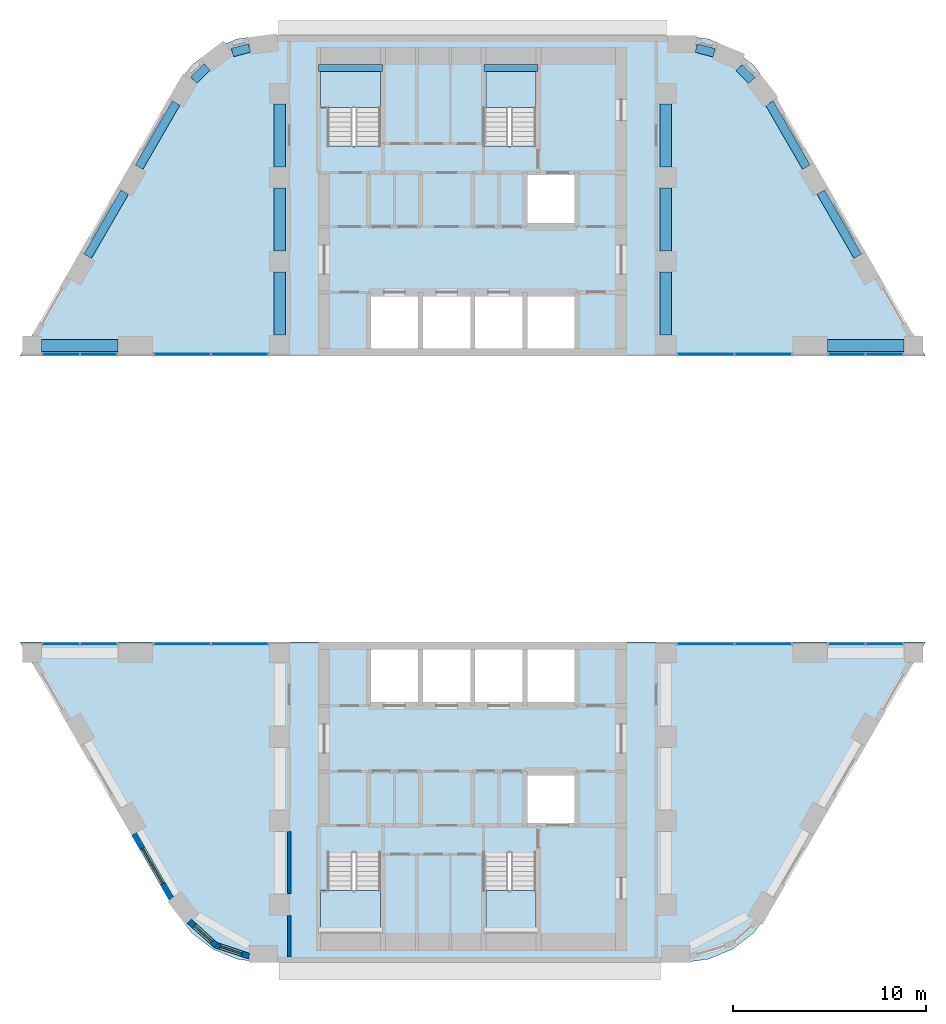
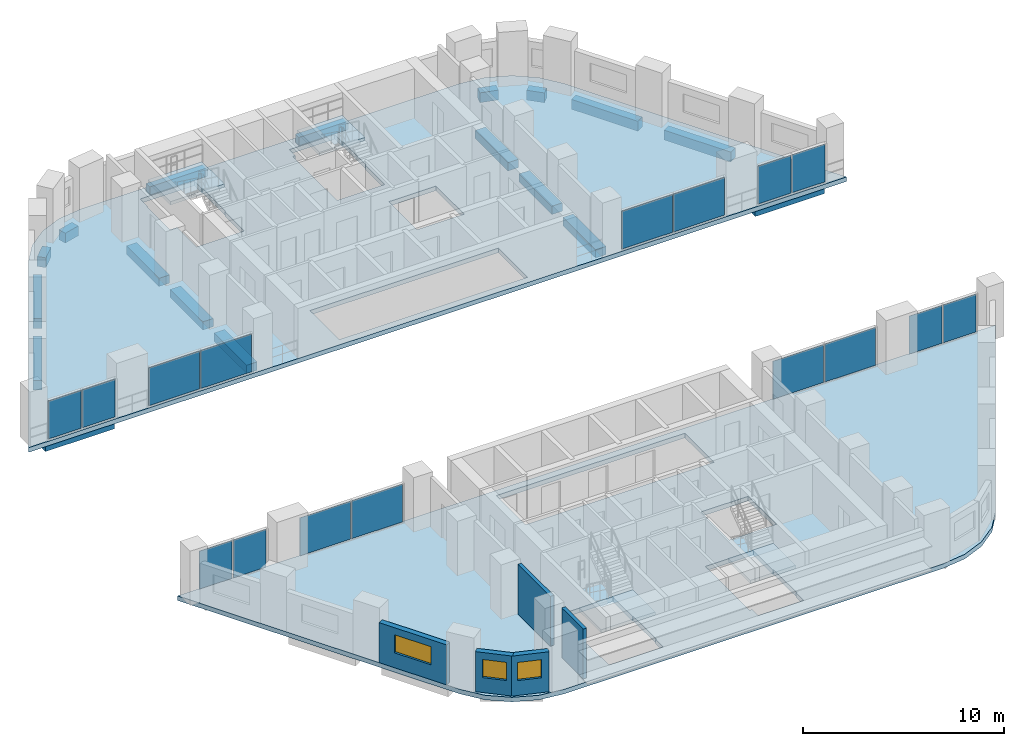
# One storey, part 4 of 11: 18 beams, 16 plates, 6 slabs, 5 walls, 3 windows, 3 openings, 12 elements without a shape of their own.
"""IFC4 building model written with IfcOpenShell, lengths in metres."""

from ifc_helpers import new_model, si_unit, direction, frame, frame_2d, origin, origin_2d, place, context, subcontext, project, spatial, polyline, rectangle, outline, extrude, material, layer, layer_set, material_profile, profile_set, type_object, element, fill, aggregate, save


model = new_model("IFC4")

# Units and contexts
model_context = context("Model", 3, precision=1e-05, world=origin(), true_north=direction((0.0, 1.0)))
body_context = subcontext(model_context, "Body", "Model", "MODEL_VIEW")
ifc_project = project(units=[si_unit("LENGTHUNIT", "METRE"), si_unit("AREAUNIT", "SQUARE_METRE"), si_unit("VOLUMEUNIT", "CUBIC_METRE"), si_unit("PLANEANGLEUNIT", "RADIAN"), si_unit("MASSUNIT", "GRAM", prefix="KILO")], contexts=[model_context])

# Site, building, storey
site_placement = place(None, origin())
site = spatial("IfcSite", under=ifc_project, at=site_placement, CompositionType="ELEMENT")
building_placement = place(site_placement, origin())
building = spatial("IfcBuilding", under=site, at=building_placement, Name="Nakaniwa Court", CompositionType="ELEMENT")
storey_placement = place(building_placement, frame((0.0, 0.0, 31.5)))
storey = spatial("IfcBuildingStorey", under=building, at=storey_placement, Name="L07", CompositionType="ELEMENT", Elevation=31.5)

# Beams
ifc_material_1 = material(Name="Concrete C100/115", Category="concrete")
ifc_material_profile_1 = material_profile(ifc_material_1, rectangle(XDim=0.449951171875, YDim=0.60009765625, at=origin_2d()), Name="Concrete C100/115 RC 450x600 spandrel beam")
ifc_profile_set_1 = profile_set([ifc_material_profile_1], Name="Concrete C100/115")
beam_type_1 = type_object("IfcBeamType", Name="Concrete C100/115 RC 450x600 spandrel beam", PredefinedType="BEAM", material=ifc_profile_set_1)
beam_1_placement = place(storey_placement, frame((68.444580078125, 103.35546875, -0.574951171875), z_axis=(-0.966287893493, -0.25746399144, 0.0), x_axis=(0.25746399144, -0.966287893493, 0.0)))
element("IfcBeam", 1, at=beam_1_placement, inside=storey, type_object=beam_type_1, Name="SPANDREL BEAM", PredefinedType="BEAM", context=body_context, shape_type="SweptSolid", body=[
    extrude(rectangle(XDim=0.449951171875, YDim=0.60009765625, at=origin_2d()), origin(), (0.0, 0.0, 1.0), 0.91796875),
])
beam_2_placement = place(storey_placement, frame((66.238525390625, 102.374267578125, -0.574951171875), z_axis=(-0.706081618928, -0.708130459317, 0.0), x_axis=(0.708130459317, -0.706081618928, 0.0)))
element("IfcBeam", 2, at=beam_2_placement, inside=storey, type_object=beam_type_1, Name="SPANDREL BEAM", PredefinedType="BEAM", context=body_context, shape_type="SweptSolid", body=[
    extrude(rectangle(XDim=0.449951171875, YDim=0.60009765625, at=origin_2d()), origin(), (0.0, 0.0, 1.0), 0.953369140625),
])
beam_3_placement = place(storey_placement, frame((64.642578125, 100.5, -0.574951171875), z_axis=(-0.500009674092, -0.866019818373, 0.0), x_axis=(0.866019818373, -0.500009674092, 0.0)))
element("IfcBeam", 3, at=beam_3_placement, inside=storey, type_object=beam_type_1, Name="SPANDREL BEAM", PredefinedType="BEAM", context=body_context, shape_type="SweptSolid", body=[
    extrude(rectangle(XDim=0.449951171875, YDim=0.60009765625, at=origin_2d()), origin(), (0.0, 0.0, 1.0), 3.826171875),
])
for number, where, z_axis, x_axis, name in (
    (4, (61.9794921875, 95.8876953125, -0.574951171875), (-0.499961815444, -0.866047448526, 0.0), (0.866047448526, -0.499961815444, 0.0), "SPANDREL BEAM"),
    (5, (99.933349609375, 92.57421875, -0.574951171875), (-0.499961815444, 0.866047448526, 0.0), (-0.866047448526, -0.499961815444, 0.0), "SPANDREL BEAM"),
):
    element("IfcBeam", number, at=place(storey_placement, frame(where, z_axis=z_axis, x_axis=x_axis)), inside=storey, type_object=beam_type_1, Name=name, PredefinedType="BEAM", context=body_context, shape_type="SweptSolid", body=[
        extrude(rectangle(XDim=0.449951171875, YDim=0.60009765625, at=origin_2d()), origin(), (0.0, 0.0, 1.0), 3.825927734375),
    ])
beam_4_placement = place(storey_placement, frame((97.2705078125, 97.1865234375, -0.574951171875), z_axis=(-0.500023067617, 0.86601208528, 0.0), x_axis=(-0.86601208528, -0.500023067617, 0.0)))
element("IfcBeam", 6, at=beam_4_placement, inside=storey, type_object=beam_type_1, Name="SPANDREL BEAM", PredefinedType="BEAM", context=body_context, shape_type="SweptSolid", body=[
    extrude(rectangle(XDim=0.449951171875, YDim=0.60009765625, at=origin_2d()), origin(), (0.0, 0.0, 1.0), 3.819580078125),
])
beam_5_placement = place(storey_placement, frame((94.448486328125, 101.68505859375, -0.574951171875), z_axis=(-0.705908410536, 0.708303124329, 0.0), x_axis=(-0.708303124329, -0.705908410536, 0.0)))
element("IfcBeam", 7, at=beam_5_placement, inside=storey, type_object=beam_type_1, Name="SPANDREL BEAM", PredefinedType="BEAM", context=body_context, shape_type="SweptSolid", body=[
    extrude(rectangle(XDim=0.449951171875, YDim=0.60009765625, at=origin_2d()), origin(), (0.0, 0.0, 1.0), 0.91748046875),
])
beam_6_placement = place(storey_placement, frame((92.49609375, 103.10498046875, -0.574951171875), z_axis=(-0.966324126494, 0.257327966912, 0.0), x_axis=(-0.257327966912, -0.966324126494, 0.0)))
element("IfcBeam", 8, at=beam_6_placement, inside=storey, type_object=beam_type_1, Name="SPANDREL BEAM", PredefinedType="BEAM", context=body_context, shape_type="SweptSolid", body=[
    extrude(rectangle(XDim=0.449951171875, YDim=0.60009765625, at=origin_2d()), origin(), (0.0, 0.0, 1.0), 0.95361328125),
])
ifc_material_profile_2 = material_profile(ifc_material_1, rectangle(XDim=0.60009765625, YDim=0.5, at=origin_2d()), Name="Concrete C100/115 RC 600x500 ring beam")
ifc_profile_set_2 = profile_set([ifc_material_profile_2], Name="Concrete C100/115")
beam_type_2 = type_object("IfcBeamType", Name="Concrete C100/115 RC 600x500 ring beam", PredefinedType="BEAM", material=ifc_profile_set_2)
for number, where, z_axis, x_axis, name in (
    (9, (90.0, 88.5, -0.52490234375), (0.0, 1.0, 0.0), (-1.0, 0.0, 0.0), "RING BEAM"),
    (10, (90.0, 92.85009765625, -0.52490234375), (0.0, 1.0, 0.0), (-1.0, 0.0, 0.0), "RING BEAM"),
    (11, (90.0, 97.199951171875, -0.52490234375), (0.0, 1.0, 0.0), (-1.0, 0.0, 0.0), "RING BEAM"),
    (12, (70.0, 100.449951171875, -0.52490234375), (0.0, -1.0, 0.0), (1.0, 0.0, 0.0), "RING BEAM"),
    (13, (70.0, 96.10009765625, -0.52490234375), (0.0, -1.0, 0.0), (1.0, 0.0, 0.0), "RING BEAM"),
    (14, (70.0, 91.75, -0.52490234375), (0.0, -1.0, 0.0), (1.0, 0.0, 0.0), "RING BEAM"),
):
    element("IfcBeam", number, at=place(storey_placement, frame(where, z_axis=z_axis, x_axis=x_axis)), inside=storey, type_object=beam_type_2, Name=name, PredefinedType="BEAM", context=body_context, shape_type="SweptSolid", body=[
        extrude(rectangle(XDim=0.60009765625, YDim=0.5, at=origin_2d()), origin(), (0.0, 0.0, 1.0), 3.25),
    ])
for number, where, z_axis, x_axis, name in (
    (15, (57.677001953125, 87.949951171875, -0.52490234375), (1.0, 0.0, 0.0), (0.0, 1.0, 0.0), "RING BEAM"),
    (16, (98.35791015625, 87.949951171875, -0.52490234375), (1.0, 0.0, 0.0), (0.0, 1.0, 0.0), "RING BEAM"),
):
    element("IfcBeam", number, at=place(storey_placement, frame(where, z_axis=z_axis, x_axis=x_axis)), inside=storey, type_object=beam_type_2, Name=name, PredefinedType="BEAM", context=body_context, shape_type="SweptSolid", body=[
        extrude(rectangle(XDim=0.60009765625, YDim=0.5, at=origin_2d()), origin(), (0.0, 0.0, 1.0), 3.965087890625),
    ])
ifc_material_2 = material(Name="Concrete C80/100", Category="concrete")
ifc_material_profile_3 = material_profile(ifc_material_2, rectangle(XDim=0.35009765625, YDim=0.5, at=origin_2d()), Name="Concrete C80/100 RC 350x500 landing ledge beam")
ifc_profile_set_3 = profile_set([ifc_material_profile_3], Name="Concrete C80/100")
beam_type_3 = type_object("IfcBeamType", Name="Concrete C80/100 RC 350x500 landing ledge beam", PredefinedType="BEAM", material=ifc_profile_set_3)
beam_7_placement = place(storey_placement, frame((72.02490234375, 102.324951171875, 1.199951171875), z_axis=(1.0, 0.0, 0.0), x_axis=(0.0, 1.0, 0.0)))
element("IfcBeam", 17, at=beam_7_placement, inside=storey, type_object=beam_type_3, Name="LANDING LEDGE BEAM", PredefinedType="BEAM", context=body_context, shape_type="SweptSolid", body=[
    extrude(rectangle(XDim=0.35009765625, YDim=0.5, at=origin_2d()), origin(), (0.0, 0.0, 1.0), 3.300048828125),
])
beam_8_placement = place(storey_placement, frame((80.574951171875, 102.324951171875, 1.199951171875), z_axis=(1.0, 0.0, 0.0), x_axis=(0.0, 1.0, 0.0)))
element("IfcBeam", 18, at=beam_8_placement, inside=storey, type_object=beam_type_3, Name="LANDING LEDGE BEAM", PredefinedType="BEAM", context=body_context, shape_type="SweptSolid", body=[
    extrude(rectangle(XDim=0.35009765625, YDim=0.5, at=origin_2d()), origin(), (0.0, 0.0, 1.0), 2.800048828125),
])

# Slabs
ifc_layer_1 = layer(ifc_material_1, 0.27490234375)
ifc_layer_set_1 = layer_set([ifc_layer_1], Name="Concrete C100/115")
slab_type_1 = type_object("IfcSlabType", Name="Concrete C100/115 post tensioned floor slab 275", PredefinedType="FLOOR", material=ifc_layer_set_1)
slab_1_placement = place(storey_placement, frame((0.0, 0.0, -0.27490234375)))
element("IfcSlab", 19, at=slab_1_placement, inside=storey, type_object=slab_type_1, Name="FLOOR SLAB", PredefinedType="FLOOR", context=body_context, shape_type="SweptSolid", body=[
    extrude(outline(polyline([(95.357421875, 58.60009765625), (103.4404296875, 72.60009765625), (56.5595703125, 72.60009765625), (64.642578125, 58.60009765625), (65.468994140625, 57.52294921875), (66.5458984375, 56.69677734375), (67.800048828125, 56.17724609375), (69.145751953125, 56.0), (90.854248046875, 56.0), (92.199951171875, 56.17724609375), (93.4541015625, 56.69677734375), (94.531005859375, 57.52294921875), (95.357421875, 58.60009765625)]), holes=[polyline([(75.22509765625, 57.324951171875), (75.22509765625, 57.4599609375), (75.264892578125, 57.4599609375), (75.264892578125, 59.764892578125), (75.22509765625, 59.764892578125), (75.22509765625, 61.7099609375), (72.47509765625, 61.7099609375), (72.47509765625, 59.764892578125), (72.0849609375, 59.764892578125), (72.0849609375, 57.4599609375), (72.125, 57.4599609375), (72.125, 56.72509765625), (75.22509765625, 56.72509765625), (75.22509765625, 57.324951171875)]), polyline([(74.60009765625, 69.300048828125), (77.300048828125, 69.300048828125), (80.0, 69.300048828125), (82.699951171875, 69.300048828125), (85.39990234375, 69.300048828125), (85.39990234375, 72.199951171875), (82.699951171875, 72.199951171875), (80.0, 72.199951171875), (77.300048828125, 72.199951171875), (74.60009765625, 72.199951171875), (74.60009765625, 69.300048828125)]), polyline([(83.27490234375, 57.324951171875), (83.27490234375, 57.4599609375), (83.31494140625, 57.4599609375), (83.31494140625, 59.764892578125), (83.27490234375, 59.764892578125), (83.27490234375, 61.7099609375), (80.52490234375, 61.7099609375), (80.52490234375, 57.324951171875), (80.675048828125, 57.324951171875), (80.675048828125, 56.72509765625), (83.27490234375, 56.72509765625), (83.27490234375, 57.324951171875)]), polyline([(82.699951171875, 63.10009765625), (85.39990234375, 63.10009765625), (85.39990234375, 65.89990234375), (82.699951171875, 65.89990234375), (82.699951171875, 63.10009765625)])]), origin(), (0.0, 0.0, 1.0), 0.27490234375),
])
slab_2_placement = place(storey_placement, frame((0.0, 0.0, -0.27490234375)))
element("IfcSlab", 20, at=slab_2_placement, inside=storey, type_object=slab_type_1, Name="FLOOR SLAB", PredefinedType="FLOOR", context=body_context, shape_type="SweptSolid", body=[
    extrude(outline(polyline([(64.642578125, 101.39990234375), (56.5595703125, 87.39990234375), (103.4404296875, 87.39990234375), (95.357421875, 101.39990234375), (94.531005859375, 102.47705078125), (93.4541015625, 103.30322265625), (92.199951171875, 103.82275390625), (90.854248046875, 104.0), (69.145751953125, 104.0), (67.800048828125, 103.82275390625), (66.5458984375, 103.30322265625), (65.468994140625, 102.47705078125), (64.642578125, 101.39990234375)]), holes=[polyline([(74.60009765625, 87.800048828125), (77.300048828125, 87.800048828125), (80.0, 87.800048828125), (82.699951171875, 87.800048828125), (85.39990234375, 87.800048828125), (85.39990234375, 90.699951171875), (82.699951171875, 90.699951171875), (80.0, 90.699951171875), (77.300048828125, 90.699951171875), (74.60009765625, 90.699951171875), (74.60009765625, 87.800048828125)]), polyline([(75.22509765625, 98.2900390625), (75.22509765625, 100.235107421875), (75.264892578125, 100.235107421875), (75.264892578125, 102.5400390625), (75.22509765625, 102.5400390625), (75.22509765625, 102.675048828125), (75.22509765625, 103.27490234375), (72.125, 103.27490234375), (72.125, 102.5400390625), (72.0849609375, 102.5400390625), (72.0849609375, 100.235107421875), (72.47509765625, 100.235107421875), (72.47509765625, 98.2900390625), (75.22509765625, 98.2900390625)]), polyline([(82.699951171875, 94.10009765625), (85.39990234375, 94.10009765625), (85.39990234375, 96.89990234375), (82.699951171875, 96.89990234375), (82.699951171875, 94.10009765625)]), polyline([(80.52490234375, 98.2900390625), (83.27490234375, 98.2900390625), (83.27490234375, 100.235107421875), (83.31494140625, 100.235107421875), (83.31494140625, 102.5400390625), (83.27490234375, 102.5400390625), (83.27490234375, 102.675048828125), (83.27490234375, 103.27490234375), (80.675048828125, 103.27490234375), (80.675048828125, 102.675048828125), (80.52490234375, 102.675048828125), (80.52490234375, 98.2900390625)])]), origin(), (0.0, 0.0, 1.0), 0.27490234375),
])

# Curtain wall, plates
ifc_material_3 = material(Name="Black anodised aluminium frame with dark low-E laminated double glazing", Category="aluminium")
ifc_layer_2 = layer(ifc_material_3, 0.199951171875)
ifc_layer_set_2 = layer_set([ifc_layer_2], Name="Black anodised aluminium frame with dark low-E laminated double glazing")
curtain_wall_type = type_object("IfcCurtainWallType", Name="Portal side curtain wall", PredefinedType="NOTDEFINED", material=ifc_layer_set_2)
curtain_wall_1_placement = place(storey_placement, origin())
curtain_wall_1 = element("IfcCurtainWall", 21, at=curtain_wall_1_placement, inside=storey, type_object=curtain_wall_type, Name="L07 curtain wall CW5 02", PredefinedType="NOTDEFINED")
ifc_material_4 = material(Name="Dark toughened glass", Category="glass")
ifc_layer_3 = layer(ifc_material_4, 0.009, Name="Outer pane")
ifc_material_5 = material(Name="Argon filled cavity")
ifc_layer_4 = layer(ifc_material_5, 0.016, Name="Cavity")
ifc_material_6 = material(Name="Dark laminated safety glass", Category="glass")
ifc_layer_5 = layer(ifc_material_6, 0.009, Name="Inner pane")
ifc_layer_set_3 = layer_set([ifc_layer_3, ifc_layer_4, ifc_layer_5], Name="Dark low-E laminated double glazing")
plate_type = type_object("IfcPlateType", Name="Portal side curtain wall glass panel", PredefinedType="CURTAIN_PANEL", material=ifc_layer_set_3)
plate_1_placement = place(storey_placement, frame((101.31494140625, 72.5, 0.06494140625), z_axis=(0.0, 0.0, 1.0), x_axis=(-1.0, 0.0, 0.0)))
plate_1 = element("IfcPlate", 22, at=plate_1_placement, type_object=plate_type, Name="CW5 panel 1.1", PredefinedType="CURTAIN_PANEL", context=body_context, shape_type="SweptSolid", body=[
    extrude(rectangle(XDim=1.8740234375, YDim=0.033935546875, at=origin_2d()), origin(), (0.0, 0.0, 1.0), 2.294921875),
])
plate_2_placement = place(storey_placement, frame((99.365966796875, 72.5, 0.06494140625), z_axis=(0.0, 0.0, 1.0), x_axis=(-1.0, 0.0, 0.0)))
plate_2 = element("IfcPlate", 23, at=plate_2_placement, type_object=plate_type, Name="CW5 panel 2.1", PredefinedType="CURTAIN_PANEL", context=body_context, shape_type="SweptSolid", body=[
    extrude(rectangle(XDim=1.8740234375, YDim=0.033935546875, at=origin_2d()), origin(), (0.0, 0.0, 1.0), 2.294921875),
])
aggregate(curtain_wall_1, [plate_1, plate_2])

curtain_wall_2_placement = place(storey_placement, origin())
curtain_wall_2 = element("IfcCurtainWall", 24, at=curtain_wall_2_placement, inside=storey, type_object=curtain_wall_type, Name="L07 curtain wall CW5 03", PredefinedType="NOTDEFINED")
plate_3_placement = place(storey_placement, frame((95.039306640625, 72.5, 0.06494140625), z_axis=(0.0, 0.0, 1.0), x_axis=(-1.0, 0.0, 0.0)))
plate_3 = element("IfcPlate", 25, at=plate_3_placement, type_object=plate_type, Name="CW5 panel 1.1", PredefinedType="CURTAIN_PANEL", context=body_context, shape_type="SweptSolid", body=[
    extrude(rectangle(XDim=2.8955078125, YDim=0.033935546875, at=origin_2d()), origin(), (0.0, 0.0, 1.0), 2.294921875),
])
plate_4_placement = place(storey_placement, frame((92.06884765625, 72.5, 0.06494140625), z_axis=(0.0, 0.0, 1.0), x_axis=(-1.0, 0.0, 0.0)))
plate_4 = element("IfcPlate", 26, at=plate_4_placement, type_object=plate_type, Name="CW5 panel 2.1", PredefinedType="CURTAIN_PANEL", context=body_context, shape_type="SweptSolid", body=[
    extrude(rectangle(XDim=2.8955078125, YDim=0.033935546875, at=origin_2d()), origin(), (0.0, 0.0, 1.0), 2.294921875),
])
aggregate(curtain_wall_2, [plate_3, plate_4])

curtain_wall_3_placement = place(storey_placement, origin())
curtain_wall_3 = element("IfcCurtainWall", 27, at=curtain_wall_3_placement, inside=storey, type_object=curtain_wall_type, Name="L07 curtain wall CW5 04", PredefinedType="NOTDEFINED")
plate_5_placement = place(storey_placement, frame((67.93115234375, 72.5, 0.06494140625), z_axis=(0.0, 0.0, 1.0), x_axis=(-1.0, 0.0, 0.0)))
plate_5 = element("IfcPlate", 28, at=plate_5_placement, type_object=plate_type, Name="CW5 panel 1.1", PredefinedType="CURTAIN_PANEL", context=body_context, shape_type="SweptSolid", body=[
    extrude(rectangle(XDim=2.8955078125, YDim=0.033935546875, at=origin_2d()), origin(), (0.0, 0.0, 1.0), 2.294921875),
])
plate_6_placement = place(storey_placement, frame((64.960693359375, 72.5, 0.06494140625), z_axis=(0.0, 0.0, 1.0), x_axis=(-1.0, 0.0, 0.0)))
plate_6 = element("IfcPlate", 29, at=plate_6_placement, type_object=plate_type, Name="CW5 panel 2.1", PredefinedType="CURTAIN_PANEL", context=body_context, shape_type="SweptSolid", body=[
    extrude(rectangle(XDim=2.8955078125, YDim=0.033935546875, at=origin_2d()), origin(), (0.0, 0.0, 1.0), 2.294921875),
])
aggregate(curtain_wall_3, [plate_5, plate_6])

curtain_wall_4_placement = place(storey_placement, origin())
curtain_wall_4 = element("IfcCurtainWall", 30, at=curtain_wall_4_placement, inside=storey, type_object=curtain_wall_type, Name="L07 curtain wall CW5 05", PredefinedType="NOTDEFINED")
plate_7_placement = place(storey_placement, frame((60.634033203125, 72.5, 0.06494140625), z_axis=(0.0, 0.0, 1.0), x_axis=(-1.0, 0.0, 0.0)))
plate_7 = element("IfcPlate", 31, at=plate_7_placement, type_object=plate_type, Name="CW5 panel 1.1", PredefinedType="CURTAIN_PANEL", context=body_context, shape_type="SweptSolid", body=[
    extrude(rectangle(XDim=1.8740234375, YDim=0.033935546875, at=origin_2d()), origin(), (0.0, 0.0, 1.0), 2.294921875),
])
plate_8_placement = place(storey_placement, frame((58.68505859375, 72.5, 0.06494140625), z_axis=(0.0, 0.0, 1.0), x_axis=(-1.0, 0.0, 0.0)))
plate_8 = element("IfcPlate", 32, at=plate_8_placement, type_object=plate_type, Name="CW5 panel 2.1", PredefinedType="CURTAIN_PANEL", context=body_context, shape_type="SweptSolid", body=[
    extrude(rectangle(XDim=1.8740234375, YDim=0.033935546875, at=origin_2d()), origin(), (0.0, 0.0, 1.0), 2.294921875),
])
aggregate(curtain_wall_4, [plate_7, plate_8])

curtain_wall_5_placement = place(storey_placement, origin())
curtain_wall_5 = element("IfcCurtainWall", 33, at=curtain_wall_5_placement, inside=storey, type_object=curtain_wall_type, Name="L07 curtain wall CW5 17", PredefinedType="NOTDEFINED")
plate_9_placement = place(storey_placement, frame((58.68505859375, 87.5, 0.06494140625), z_axis=(0.0, 0.0, 1.0), x_axis=(1.0, 0.0, 0.0)))
plate_9 = element("IfcPlate", 34, at=plate_9_placement, type_object=plate_type, Name="CW5 panel 1.1", PredefinedType="CURTAIN_PANEL", context=body_context, shape_type="SweptSolid", body=[
    extrude(rectangle(XDim=1.8740234375, YDim=0.033935546875, at=origin_2d()), origin(), (0.0, 0.0, 1.0), 2.294921875),
])
plate_10_placement = place(storey_placement, frame((60.634033203125, 87.5, 0.06494140625), z_axis=(0.0, 0.0, 1.0), x_axis=(1.0, 0.0, 0.0)))
plate_10 = element("IfcPlate", 35, at=plate_10_placement, type_object=plate_type, Name="CW5 panel 2.1", PredefinedType="CURTAIN_PANEL", context=body_context, shape_type="SweptSolid", body=[
    extrude(rectangle(XDim=1.8740234375, YDim=0.033935546875, at=origin_2d()), origin(), (0.0, 0.0, 1.0), 2.294921875),
])
aggregate(curtain_wall_5, [plate_9, plate_10])

curtain_wall_6_placement = place(storey_placement, origin())
curtain_wall_6 = element("IfcCurtainWall", 36, at=curtain_wall_6_placement, inside=storey, type_object=curtain_wall_type, Name="L07 curtain wall CW5 18", PredefinedType="NOTDEFINED")
plate_11_placement = place(storey_placement, frame((64.960693359375, 87.5, 0.06494140625), z_axis=(0.0, 0.0, 1.0), x_axis=(1.0, 0.0, 0.0)))
plate_11 = element("IfcPlate", 37, at=plate_11_placement, type_object=plate_type, Name="CW5 panel 1.1", PredefinedType="CURTAIN_PANEL", context=body_context, shape_type="SweptSolid", body=[
    extrude(rectangle(XDim=2.8955078125, YDim=0.033935546875, at=origin_2d()), origin(), (0.0, 0.0, 1.0), 2.294921875),
])
plate_12_placement = place(storey_placement, frame((67.93115234375, 87.5, 0.06494140625), z_axis=(0.0, 0.0, 1.0), x_axis=(1.0, 0.0, 0.0)))
plate_12 = element("IfcPlate", 38, at=plate_12_placement, type_object=plate_type, Name="CW5 panel 2.1", PredefinedType="CURTAIN_PANEL", context=body_context, shape_type="SweptSolid", body=[
    extrude(rectangle(XDim=2.8955078125, YDim=0.033935546875, at=origin_2d()), origin(), (0.0, 0.0, 1.0), 2.294921875),
])
aggregate(curtain_wall_6, [plate_11, plate_12])

curtain_wall_7_placement = place(storey_placement, origin())
curtain_wall_7 = element("IfcCurtainWall", 39, at=curtain_wall_7_placement, inside=storey, type_object=curtain_wall_type, Name="L07 curtain wall CW5 19", PredefinedType="NOTDEFINED")
plate_13_placement = place(storey_placement, frame((92.06884765625, 87.5, 0.06494140625), z_axis=(0.0, 0.0, 1.0), x_axis=(1.0, 0.0, 0.0)))
plate_13 = element("IfcPlate", 40, at=plate_13_placement, type_object=plate_type, Name="CW5 panel 1.1", PredefinedType="CURTAIN_PANEL", context=body_context, shape_type="SweptSolid", body=[
    extrude(rectangle(XDim=2.8955078125, YDim=0.033935546875, at=origin_2d()), origin(), (0.0, 0.0, 1.0), 2.294921875),
])
plate_14_placement = place(storey_placement, frame((95.039306640625, 87.5, 0.06494140625), z_axis=(0.0, 0.0, 1.0), x_axis=(1.0, 0.0, 0.0)))
plate_14 = element("IfcPlate", 41, at=plate_14_placement, type_object=plate_type, Name="CW5 panel 2.1", PredefinedType="CURTAIN_PANEL", context=body_context, shape_type="SweptSolid", body=[
    extrude(rectangle(XDim=2.8955078125, YDim=0.033935546875, at=origin_2d()), origin(), (0.0, 0.0, 1.0), 2.294921875),
])
aggregate(curtain_wall_7, [plate_13, plate_14])

curtain_wall_8_placement = place(storey_placement, origin())
curtain_wall_8 = element("IfcCurtainWall", 42, at=curtain_wall_8_placement, inside=storey, type_object=curtain_wall_type, Name="L07 curtain wall CW5 20", PredefinedType="NOTDEFINED")
plate_15_placement = place(storey_placement, frame((99.365966796875, 87.5, 0.06494140625), z_axis=(0.0, 0.0, 1.0), x_axis=(1.0, 0.0, 0.0)))
plate_15 = element("IfcPlate", 43, at=plate_15_placement, type_object=plate_type, Name="CW5 panel 1.1", PredefinedType="CURTAIN_PANEL", context=body_context, shape_type="SweptSolid", body=[
    extrude(rectangle(XDim=1.8740234375, YDim=0.033935546875, at=origin_2d()), origin(), (0.0, 0.0, 1.0), 2.294921875),
])
plate_16_placement = place(storey_placement, frame((101.31494140625, 87.5, 0.06494140625), z_axis=(0.0, 0.0, 1.0), x_axis=(1.0, 0.0, 0.0)))
plate_16 = element("IfcPlate", 44, at=plate_16_placement, type_object=plate_type, Name="CW5 panel 2.1", PredefinedType="CURTAIN_PANEL", context=body_context, shape_type="SweptSolid", body=[
    extrude(rectangle(XDim=1.8740234375, YDim=0.033935546875, at=origin_2d()), origin(), (0.0, 0.0, 1.0), 2.294921875),
])
aggregate(curtain_wall_8, [plate_15, plate_16])

# Stair, slab
stair_type = type_object("IfcStairType", Name="Dog leg stair 1300 wide 18 risers", PredefinedType="HALF_TURN_STAIR", material=ifc_material_2)
stair_1_placement = place(storey_placement, origin())
stair_1 = element("IfcStair", 45, at=stair_1_placement, inside=storey, type_object=stair_type, Name="L07 Stair ST1", PredefinedType="HALF_TURN_STAIR")
ifc_layer_6 = layer(ifc_material_2, 0.199951171875)
ifc_layer_set_4 = layer_set([ifc_layer_6], Name="Concrete C80/100")
slab_type_2 = type_object("IfcSlabType", Name="Stair landing concrete", PredefinedType="LANDING", material=ifc_layer_set_4)
slab_3_placement = place(storey_placement, frame((0.0, 0.0, 1.449951171875)))
slab_3 = element("IfcSlab", 46, at=slab_3_placement, type_object=slab_type_2, Name="ST1 landing 1", PredefinedType="LANDING", context=body_context, shape_type="SweptSolid", body=[
    extrude(outline(polyline([(75.22509765625, 100.27490234375), (75.22509765625, 102.5), (72.125, 102.5), (72.125, 100.27490234375), (75.22509765625, 100.27490234375)])), origin(), (0.0, 0.0, 1.0), 0.199951171875),
])
aggregate(stair_1, [slab_3])

stair_2_placement = place(storey_placement, origin())
stair_2 = element("IfcStair", 47, at=stair_2_placement, inside=storey, type_object=stair_type, Name="L07 Stair ST2", PredefinedType="HALF_TURN_STAIR")
slab_4_placement = place(storey_placement, frame((0.0, 0.0, 1.449951171875)))
slab_4 = element("IfcSlab", 48, at=slab_4_placement, type_object=slab_type_2, Name="ST2 landing 1", PredefinedType="LANDING", context=body_context, shape_type="SweptSolid", body=[
    extrude(outline(polyline([(83.27490234375, 100.27490234375), (83.27490234375, 102.5), (80.675048828125, 102.5), (80.675048828125, 100.27490234375), (83.27490234375, 100.27490234375)])), origin(), (0.0, 0.0, 1.0), 0.199951171875),
])
aggregate(stair_2, [slab_4])

stair_3_placement = place(storey_placement, origin())
stair_3 = element("IfcStair", 49, at=stair_3_placement, inside=storey, type_object=stair_type, Name="L07 Stair ST3", PredefinedType="HALF_TURN_STAIR")
slab_5_placement = place(storey_placement, frame((0.0, 0.0, 1.449951171875)))
slab_5 = element("IfcSlab", 50, at=slab_5_placement, type_object=slab_type_2, Name="ST3 landing 1", PredefinedType="LANDING", context=body_context, shape_type="SweptSolid", body=[
    extrude(outline(polyline([(75.22509765625, 57.5), (75.22509765625, 59.72509765625), (72.125, 59.72509765625), (72.125, 57.5), (75.22509765625, 57.5)])), origin(), (0.0, 0.0, 1.0), 0.199951171875),
])
aggregate(stair_3, [slab_5])

stair_4_placement = place(storey_placement, origin())
stair_4 = element("IfcStair", 51, at=stair_4_placement, inside=storey, type_object=stair_type, Name="L07 Stair ST4", PredefinedType="HALF_TURN_STAIR")
slab_6_placement = place(storey_placement, frame((0.0, 0.0, 1.449951171875)))
slab_6 = element("IfcSlab", 52, at=slab_6_placement, type_object=slab_type_2, Name="ST4 landing 1", PredefinedType="LANDING", context=body_context, shape_type="SweptSolid", body=[
    extrude(outline(polyline([(83.27490234375, 57.5), (83.27490234375, 59.72509765625), (80.675048828125, 59.72509765625), (80.675048828125, 57.5), (83.27490234375, 57.5)])), origin(), (0.0, 0.0, 1.0), 0.199951171875),
])
aggregate(stair_4, [slab_6])

# Walls
ifc_material_7 = material(Name="Acoustic double stud partition")
ifc_layer_7 = layer(ifc_material_7, 0.199951171875)
ifc_layer_set_5 = layer_set([ifc_layer_7], Name="Acoustic double stud partition")
wall_type_1 = type_object("IfcWallType", Name="Acoustic double stud partition 200", PredefinedType="PARTITIONING", material=ifc_layer_set_5)
wall_1_placement = place(storey_placement, frame((70.5, 56.300048828125, 0.0), z_axis=(0.0, 0.0, 1.0), x_axis=(0.0, 1.0, 0.0)))
element("IfcWall", 53, at=wall_1_placement, inside=storey, type_object=wall_type_1, Name="Partition PW-081", PredefinedType="PARTITIONING", context=body_context, shape_type="SweptSolid", body=[
    extrude(rectangle(XDim=2.133056640625, YDim=0.199951171875, at=frame_2d((1.06640625, 0.0))), origin(), (0.0, 0.0, 1.0), 3.02490234375),
])
wall_2_placement = place(storey_placement, frame((70.5, 59.56689453125, 0.0), z_axis=(0.0, 0.0, 1.0), x_axis=(0.0, 1.0, 0.0)))
element("IfcWall", 54, at=wall_2_placement, inside=storey, type_object=wall_type_1, Name="Partition PW-082", PredefinedType="PARTITIONING", context=body_context, shape_type="SweptSolid", body=[
    extrude(rectangle(XDim=3.216064453125, YDim=0.199951171875, at=frame_2d((1.60791015625, 0.0))), origin(), (0.0, 0.0, 1.0), 3.02490234375),
])

# Wall, opening, window
ifc_material_8 = material(Name="Charcoal ceramic cladding")
ifc_layer_8 = layer(ifc_material_8, 0.02, Name="Ceramic cladding")
ifc_material_9 = material(Name="Ventilated air cavity")
ifc_layer_9 = layer(ifc_material_9, 0.04, ventilated=True, Name="Ventilated cavity")
ifc_material_10 = material(Name="Mineral wool insulation")
ifc_layer_10 = layer(ifc_material_10, 0.1, Name="Insulation")
ifc_material_11 = material(Name="Cement bonded sheathing board")
ifc_layer_11 = layer(ifc_material_11, 0.012, Name="Sheathing")
ifc_material_12 = material(Name="Cold-formed galvanised stud frame with mineral wool infill")
ifc_layer_12 = layer(ifc_material_12, 0.1, Name="Stud frame")
ifc_material_13 = material(Name="Fire-rated gypsum plasterboard lining")
ifc_layer_13 = layer(ifc_material_13, 0.028, Name="Lining")
ifc_layer_set_6 = layer_set([ifc_layer_8, ifc_layer_9, ifc_layer_10, ifc_layer_11, ifc_layer_12, ifc_layer_13], Name="Charcoal ceramic faced external wall system")
wall_type_2 = type_object("IfcWallType", Name="Black ceramic faced external wall 300", PredefinedType="SOLIDWALL", material=ifc_layer_set_6)
wall_3_placement = place(storey_placement, frame((62.4677734375, 62.6669921875, 0.0), z_axis=(0.0, 0.0, 1.0), x_axis=(0.499948341072, -0.866055227026, 0.0)))
wall_3 = element("IfcWall", 55, at=wall_3_placement, inside=storey, type_object=wall_type_2, Name="L07 external wall 08", PredefinedType="SOLIDWALL", context=body_context, shape_type="SweptSolid", body=[
    extrude(rectangle(XDim=3.8671875, YDim=0.300048828125, at=frame_2d((1.93359375, 0.0))), origin(), (0.0, 0.0, 1.0), 2.425048828125),
])
opening_1_placement = place(wall_3_placement, frame((0.872314453125, 0.0, 0.89990234375)))
opening_1 = element("IfcOpeningElement", 56, at=opening_1_placement, cuts=wall_3, Name="Opening W7.05", PredefinedType="OPENING", context=body_context, shape_type="SweptSolid", body=[
    extrude(rectangle(XDim=2.10009765625, YDim=1.10009765625, at=frame_2d((1.050048828125, 0.550048828125))), frame((0.0, 0.159912109375, 0.0), z_axis=(0.0, -1.0, 0.0), x_axis=(1.0, 0.0, 0.0)), (0.0, 0.0, 1.0), 0.320068359375),
])
window_type_1 = type_object("IfcWindowType", Name="Dark glass window 2100x1100 sill 900", PartitioningType="SINGLE_PANEL", PredefinedType="WINDOW", material=ifc_material_3)
window_1_placement = place(opening_1_placement, origin())
window_1 = element("IfcWindow", 57, at=window_1_placement, inside=storey, type_object=window_type_1, Name="L07 habitable room window 08-0", OverallHeight=1.10009765625, OverallWidth=2.10009765625, PartitioningType="SINGLE_PANEL", PredefinedType="WINDOW", context=body_context, shape_type="SweptSolid", body=[
    extrude(rectangle(XDim=2.10009765625, YDim=1.10009765625, at=frame_2d((1.050048828125, 0.550048828125))), frame((0.0, 0.030029296875, 0.0), z_axis=(0.0, -1.0, 0.0), x_axis=(1.0, 0.0, 0.0)), (0.0, 0.0, 1.0), 0.06005859375),
])
fill(opening_1, window_1)

wall_4_placement = place(storey_placement, frame((65.3203125, 58.142578125, 0.0), z_axis=(0.0, 0.0, 1.0), x_axis=(0.7435526378, -0.668677407141, 0.0)))
wall_4 = element("IfcWall", 58, at=wall_4_placement, inside=storey, type_object=wall_type_2, Name="L07 external wall 09", PredefinedType="SOLIDWALL", context=body_context, shape_type="SweptSolid", body=[
    extrude(rectangle(XDim=1.878173828125, YDim=0.300048828125, at=frame_2d((0.93896484375, 0.0))), origin(), (0.0, 0.0, 1.0), 2.425048828125),
])
opening_2_placement = place(wall_4_placement, frame((0.366943359375, 0.0, 0.89990234375)))
opening_2 = element("IfcOpeningElement", 59, at=opening_2_placement, cuts=wall_4, Name="Opening W6.06", PredefinedType="OPENING", context=body_context, shape_type="SweptSolid", body=[
    extrude(rectangle(XDim=1.199951171875, YDim=1.10009765625, at=frame_2d((0.60009765625, 0.550048828125))), frame((0.0, 0.159912109375, 0.0), z_axis=(0.0, -1.0, 0.0), x_axis=(1.0, 0.0, 0.0)), (0.0, 0.0, 1.0), 0.320068359375),
])
window_type_2 = type_object("IfcWindowType", Name="Dark glass window 1200x1100 sill 900", PartitioningType="SINGLE_PANEL", PredefinedType="WINDOW", material=ifc_material_3)
window_2_placement = place(opening_2_placement, origin())
window_2 = element("IfcWindow", 60, at=window_2_placement, inside=storey, type_object=window_type_2, Name="L07 habitable room window 09-0", OverallHeight=1.10009765625, OverallWidth=1.199951171875, PartitioningType="SINGLE_PANEL", PredefinedType="WINDOW", context=body_context, shape_type="SweptSolid", body=[
    extrude(rectangle(XDim=1.199951171875, YDim=1.10009765625, at=frame_2d((0.60009765625, 0.550048828125))), frame((0.0, 0.030029296875, 0.0), z_axis=(0.0, -1.0, 0.0), x_axis=(1.0, 0.0, 0.0)), (0.0, 0.0, 1.0), 0.06005859375),
])
fill(opening_2, window_2)

wall_5_placement = place(storey_placement, frame((66.6240234375, 56.932861328125, 0.0), z_axis=(0.0, 0.0, 1.0), x_axis=(0.949246659442, -0.314532636683, 0.0)))
wall_5 = element("IfcWall", 61, at=wall_5_placement, inside=storey, type_object=wall_type_2, Name="L07 external wall 10", PredefinedType="SOLIDWALL", context=body_context, shape_type="SweptSolid", body=[
    extrude(rectangle(XDim=1.901611328125, YDim=0.300048828125, at=frame_2d((0.95068359375, 0.0))), origin(), (0.0, 0.0, 1.0), 2.425048828125),
])
opening_3_placement = place(wall_5_placement, frame((0.31005859375, 0.0, 0.89990234375)))
opening_3 = element("IfcOpeningElement", 62, at=opening_3_placement, cuts=wall_5, Name="Opening W6.07", PredefinedType="OPENING", context=body_context, shape_type="SweptSolid", body=[
    extrude(rectangle(XDim=1.199951171875, YDim=1.10009765625, at=frame_2d((0.60009765625, 0.550048828125))), frame((0.0, 0.159912109375, 0.0), z_axis=(0.0, -1.0, 0.0), x_axis=(1.0, 0.0, 0.0)), (0.0, 0.0, 1.0), 0.320068359375),
])
window_3_placement = place(opening_3_placement, origin())
window_3 = element("IfcWindow", 63, at=window_3_placement, inside=storey, type_object=window_type_2, Name="L07 habitable room window 10-0", OverallHeight=1.10009765625, OverallWidth=1.199951171875, PartitioningType="SINGLE_PANEL", PredefinedType="WINDOW", context=body_context, shape_type="SweptSolid", body=[
    extrude(rectangle(XDim=1.199951171875, YDim=1.10009765625, at=frame_2d((0.60009765625, 0.550048828125))), frame((0.0, 0.030029296875, 0.0), z_axis=(0.0, -1.0, 0.0), x_axis=(1.0, 0.0, 0.0)), (0.0, 0.0, 1.0), 0.06005859375),
])
fill(opening_3, window_3)

save(model, "model.ifc")
